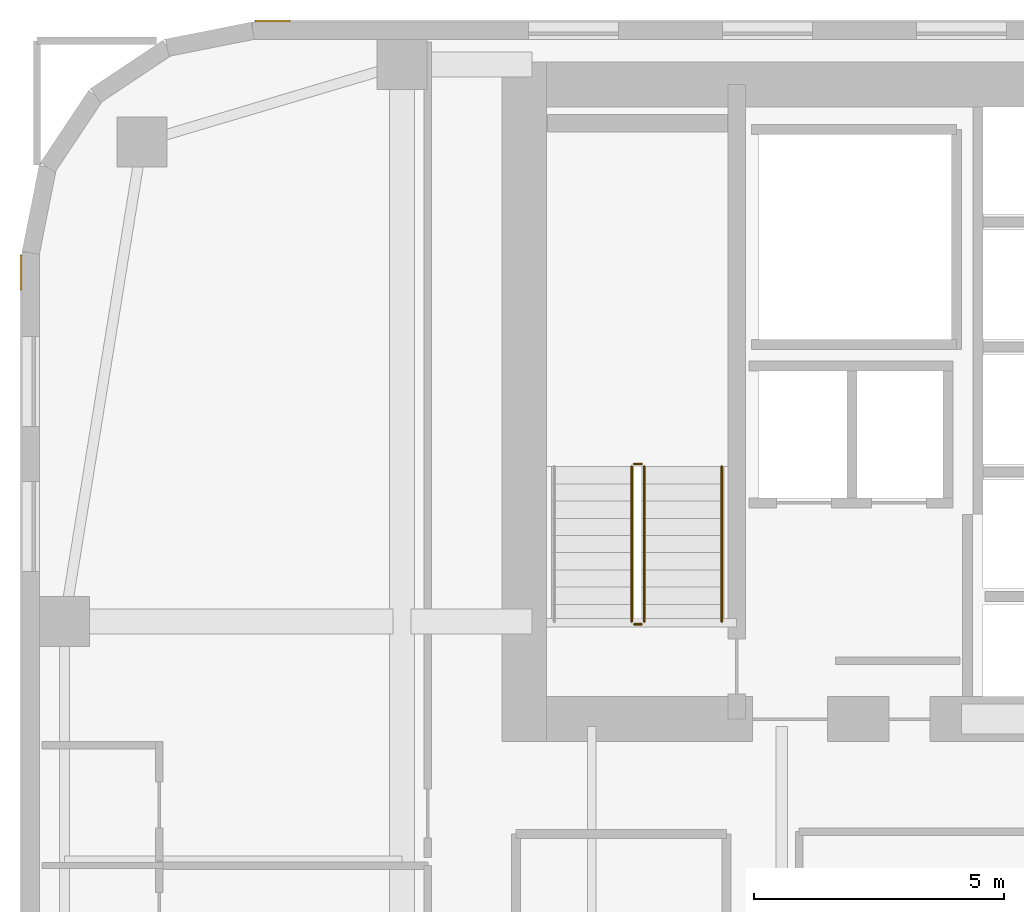
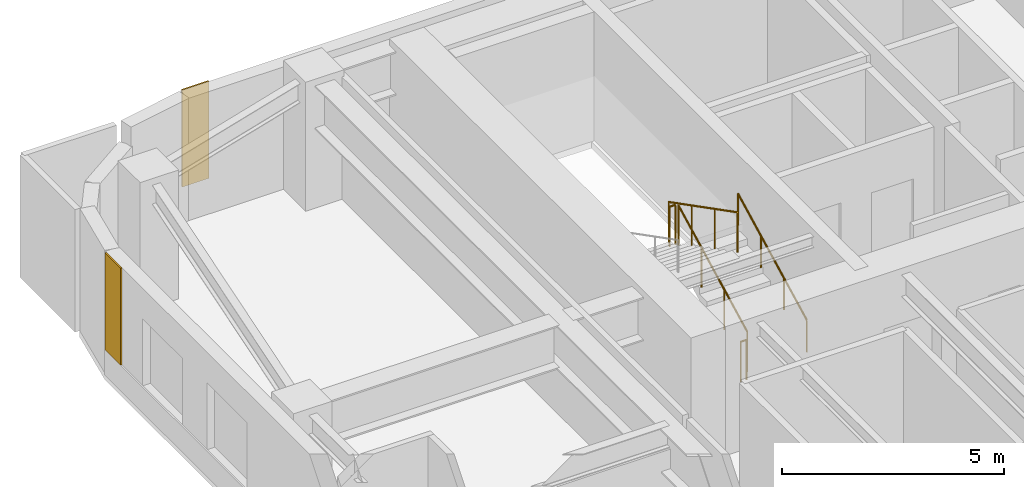
# One storey, part 23 of 25: 5 railings, 2 coverings.
"""IFC4 building model written with IfcOpenShell, lengths in metres."""

from ifc_helpers import new_model, si_unit, direction, frame, origin, origin_2d, place, context, subcontext, project, spatial, polyline, circle, outline, extrude, material, layer, layer_set, type_object, element, save


model = new_model("IFC4")

# Units and contexts
model_context = context("Model", 3, precision=1e-05, world=origin(), true_north=direction((0.0, 1.0)))
body_context = subcontext(model_context, "Body", "Model", "MODEL_VIEW")
ifc_project = project(units=[si_unit("LENGTHUNIT", "METRE"), si_unit("AREAUNIT", "SQUARE_METRE"), si_unit("VOLUMEUNIT", "CUBIC_METRE"), si_unit("PLANEANGLEUNIT", "RADIAN"), si_unit("MASSUNIT", "GRAM", prefix="KILO")], contexts=[model_context])

# Site, building, storey
site_placement = place(None, origin())
site = spatial("IfcSite", under=ifc_project, at=site_placement, CompositionType="ELEMENT")
building_placement = place(site_placement, origin())
building = spatial("IfcBuilding", under=site, at=building_placement, Name="Tolvann Quenvar Hotel", CompositionType="ELEMENT")
storey_placement = place(building_placement, frame((0.0, 0.0, 60.39990234375)))
storey = spatial("IfcBuildingStorey", under=building, at=storey_placement, Name="L14", CompositionType="ELEMENT", Elevation=60.39990234375)

# Coverings
ifc_material_1 = material(Name="Kiln-fired red architectural face brick cladding", Category="masonry")
ifc_layer = layer(ifc_material_1, 0.0400390625)
ifc_layer_set = layer_set([ifc_layer], Name="Kiln-fired red architectural face brick cladding")
covering_type = type_object("IfcCoveringType", Name="COV_CLAD_BRICK_40", PredefinedType="CLADDING", material=ifc_layer_set)
covering_1_placement = place(storey_placement, frame((0.0, 0.0, 0.7001953125)))
element("IfcCovering", 1, at=covering_1_placement, inside=storey, type_object=covering_type, Name="Brick Pier Cladding (L14-E18-P2)", PredefinedType="CLADDING", context=body_context, shape_type="SweptSolid", body=[
    extrude(outline(polyline([(5.3671875, 46.0), (4.667236328125, 46.0), (4.667236328125, 46.0400390625), (5.3671875, 46.0400390625), (5.3671875, 46.0)])), origin(), (0.0, 0.0, 1.0), 2.669921875),
])
covering_2_placement = place(storey_placement, frame((0.0, 0.0, 0.7001953125)))
element("IfcCovering", 2, at=covering_2_placement, inside=storey, type_object=covering_type, Name="Brick Pier Cladding (L14-E23-P1)", PredefinedType="CLADDING", context=body_context, shape_type="SweptSolid", body=[
    extrude(outline(polyline([(0.0, 41.332763671875), (0.0, 40.6328125), (-0.0400390625, 40.6328125), (-0.0400390625, 41.332763671875), (0.0, 41.332763671875)])), origin(), (0.0, 0.0, 1.0), 2.669921875),
])

# Railings
ifc_material_2 = material(Name="Brushed 316 stainless steel balustrade and handrail", Category="steel")
railing_type_1 = type_object("IfcRailingType", Name="GUARDRAIL", PredefinedType="GUARDRAIL", material=ifc_material_2)
railing_1_placement = place(storey_placement, frame((12.449951171875, 34.0, 0.177490234375)))
element("IfcRailing", 3, at=railing_1_placement, inside=storey, type_object=railing_type_1, Name="L14 ST-C1 stair guard 1", PredefinedType="GUARDRAIL", context=body_context, shape_type="SweptSolid", body=[
    extrude(circle(Radius=0.02392578125, at=origin_2d()), frame((0.0, 0.0, 1.09619140625), z_axis=(0.0, 0.88919353882, 0.457531256332), x_axis=(-1.0, 0.0, 0.0)), (0.0, 0.0, 1.0), 3.491943359375),
    extrude(circle(Radius=0.02099609375, at=origin_2d()), origin(), (0.0, 0.0, 1.0), 1.072021484375),
    extrude(circle(Radius=0.02099609375, at=origin_2d()), frame((0.0, 1.034912109375, 0.532470703125)), (0.0, 0.0, 1.0), 1.072021484375),
    extrude(circle(Radius=0.02099609375, at=origin_2d()), frame((0.0, 2.070068359375, 1.065185546875)), (0.0, 0.0, 1.0), 1.072021484375),
    extrude(circle(Radius=0.02099609375, at=origin_2d()), frame((0.0, 3.10498046875, 1.59765625)), (0.0, 0.0, 1.0), 1.072021484375),
])
railing_2_placement = place(storey_placement, frame((12.39990234375, 37.155029296875, 1.775146484375)))
element("IfcRailing", 4, at=railing_2_placement, inside=storey, type_object=railing_type_1, Name="L14 ST-C1 stair guard 2", PredefinedType="GUARDRAIL", context=body_context, shape_type="SweptSolid", body=[
    extrude(circle(Radius=0.02392578125, at=origin_2d()), frame((0.0, 0.0, 1.09619140625), z_axis=(-1.0, 0.0, 0.0), x_axis=(0.0, -1.0, 0.0)), (0.0, 0.0, 1.0), 0.14990234375),
    extrude(circle(Radius=0.02099609375, at=origin_2d()), origin(), (0.0, 0.0, 1.0), 1.072021484375),
    extrude(circle(Radius=0.02099609375, at=origin_2d()), frame((-0.14990234375, 0.0, 0.0)), (0.0, 0.0, 1.0), 1.072021484375),
])
railing_3_placement = place(storey_placement, frame((12.199951171875, 37.10498046875, 1.95263671875)))
element("IfcRailing", 5, at=railing_3_placement, inside=storey, type_object=railing_type_1, Name="L14 ST-C1 stair guard 3", PredefinedType="GUARDRAIL", context=body_context, shape_type="SweptSolid", body=[
    extrude(circle(Radius=0.02392578125, at=origin_2d()), frame((0.0, 0.0, 1.09619140625), z_axis=(0.0, -0.889221982265, 0.45747597342), x_axis=(1.0, 0.0, 0.0)), (0.0, 0.0, 1.0), 3.49169921875),
    extrude(circle(Radius=0.02099609375, at=origin_2d()), origin(), (0.0, 0.0, 1.0), 1.072021484375),
    extrude(circle(Radius=0.02099609375, at=origin_2d()), frame((0.0, -1.034912109375, 0.532470703125)), (0.0, 0.0, 1.0), 1.072021484375),
    extrude(circle(Radius=0.02099609375, at=origin_2d()), frame((0.0, -2.070068359375, 1.06494140625)), (0.0, 0.0, 1.0), 1.072021484375),
    extrude(circle(Radius=0.02099609375, at=origin_2d()), frame((0.0, -3.10498046875, 1.597412109375)), (0.0, 0.0, 1.0), 1.072021484375),
])
railing_4_placement = place(storey_placement, frame((12.39990234375, 33.949951171875, 0.0)))
element("IfcRailing", 6, at=railing_4_placement, inside=storey, type_object=railing_type_1, Name="L14 ST-C1 stair guard 4", PredefinedType="GUARDRAIL", context=body_context, shape_type="SweptSolid", body=[
    extrude(circle(Radius=0.02392578125, at=origin_2d()), frame((0.0, 0.0, 1.09619140625), z_axis=(-1.0, 0.0, 0.0), x_axis=(0.0, -1.0, 0.0)), (0.0, 0.0, 1.0), 0.14990234375),
    extrude(circle(Radius=0.02099609375, at=origin_2d()), origin(), (0.0, 0.0, 1.0), 1.072021484375),
    extrude(circle(Radius=0.02099609375, at=origin_2d()), frame((-0.14990234375, 0.0, 0.0)), (0.0, 0.0, 1.0), 1.072021484375),
])
railing_type_2 = type_object("IfcRailingType", Name="HANDRAIL", PredefinedType="HANDRAIL", material=ifc_material_2)
railing_5_placement = place(storey_placement, frame((14.0, 34.0, 0.177490234375)))
element("IfcRailing", 7, at=railing_5_placement, inside=storey, type_object=railing_type_2, Name="L14 ST-C1 stair handrail 1", PredefinedType="HANDRAIL", context=body_context, shape_type="SweptSolid", body=[
    extrude(circle(Radius=0.02392578125, at=origin_2d()), frame((0.0, 0.0, 0.8759765625), z_axis=(0.0, 0.88919353882, 0.457531256332), x_axis=(-1.0, 0.0, 0.0)), (0.0, 0.0, 1.0), 3.491943359375),
    extrude(circle(Radius=0.02099609375, at=origin_2d()), origin(), (0.0, 0.0, 1.0), 0.851806640625),
    extrude(circle(Radius=0.02099609375, at=origin_2d()), frame((0.0, 1.034912109375, 0.532470703125)), (0.0, 0.0, 1.0), 0.851806640625),
    extrude(circle(Radius=0.02099609375, at=origin_2d()), frame((0.0, 2.070068359375, 1.065185546875)), (0.0, 0.0, 1.0), 0.851806640625),
    extrude(circle(Radius=0.02099609375, at=origin_2d()), frame((0.0, 3.10498046875, 1.59765625)), (0.0, 0.0, 1.0), 0.851806640625),
])

save(model, "model.ifc")
